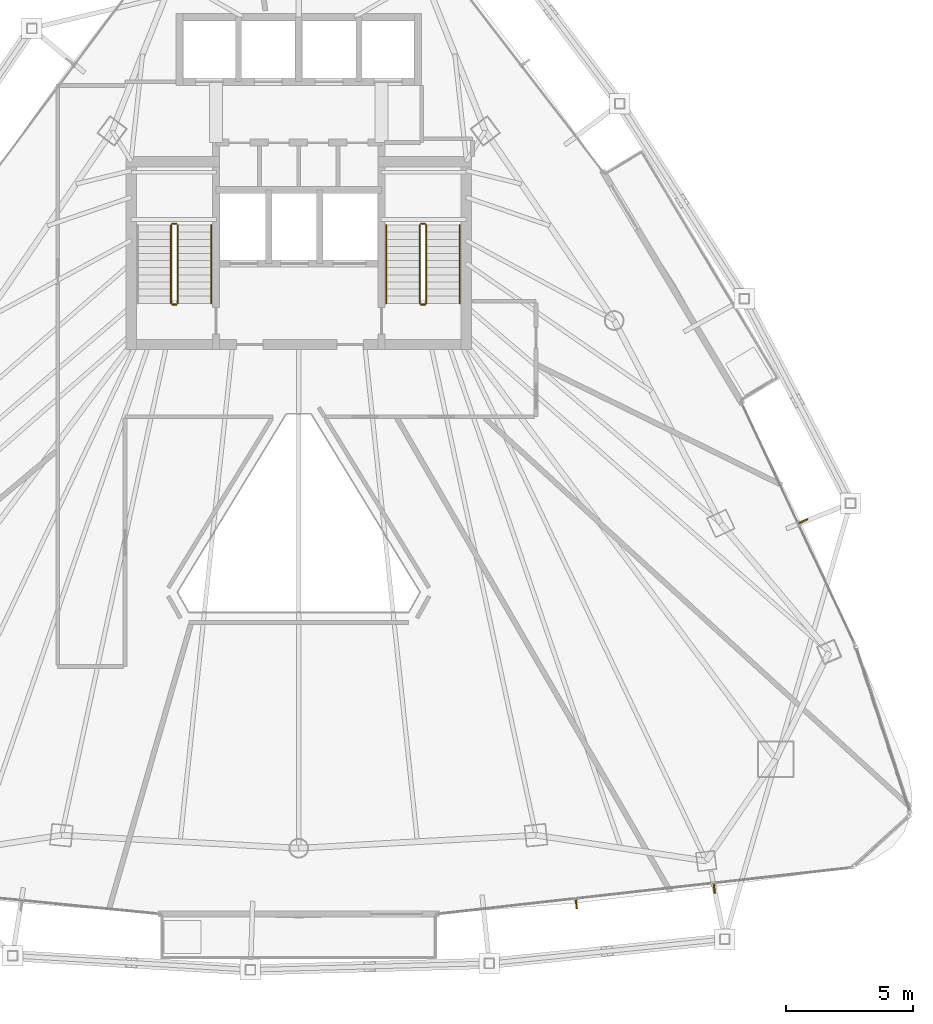
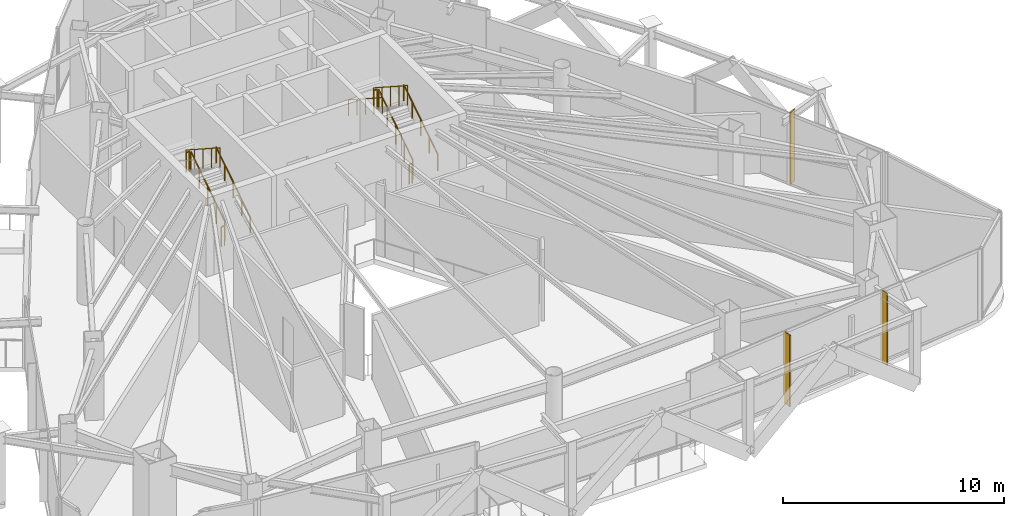
# One storey, part 26 of 27: 11 railings, 3 shading devices.
"""IFC4 building model written with IfcOpenShell, lengths in metres."""

import ifcopenshell
import ifcopenshell.guid

model = None  # the IFC model being written
_history = None  # IfcOwnerHistory: only IFC2X3 demands one
_inside = {}  # id of a spatial element -> (the spatial element, [elements in it])
_under = {}  # id of a project, library or spatial element -> (it, [spatial elements below it])
_declared = {}  # id of a project -> (the project, [libraries it declares])
_typed = {}  # id of a type object -> (the type object, [elements of that type])
_made_of = {}  # id of a material, layer set ... -> (it, [elements and type objects made of it])


def new_model(schema):
    """Start an empty IFC model of exactly this schema.

    Asked for "IFC4X3", IfcOpenShell would pick the latest addendum, in which some entities
    have other attributes; the version numbers below select the first issue.
    IFC2X3 requires an IfcOwnerHistory on every rooted entity: one is made here for all.
    """
    global model, _history
    if schema == "IFC4X3":
        model = ifcopenshell.file(schema_version=(4, 3, 0, 0))
    else:
        model = ifcopenshell.file(schema=schema)
    _inside.clear()
    _under.clear()
    _declared.clear()
    _typed.clear()
    _made_of.clear()
    _history = None
    if model.schema == "IFC2X3":
        org = make("IfcOrganization", Name="unknown")
        user = make(
            "IfcPersonAndOrganization",
            ThePerson=make("IfcPerson", FamilyName="unknown"),
            TheOrganization=org,
        )
        app = make(
            "IfcApplication",
            ApplicationDeveloper=org,
            Version="unknown",
            ApplicationFullName="unknown",
            ApplicationIdentifier="unknown",
        )
        _history = make(
            "IfcOwnerHistory",
            OwningUser=user,
            OwningApplication=app,
            ChangeAction="ADDED",
            CreationDate=0,
        )
    return model


def make(cls, **values):
    """One entity of the class cls with the attributes given. An attribute that is None is left unset."""
    return model.create_entity(
        cls, **{name: value for name, value in values.items() if value is not None}
    )


def rooted(cls, **values):
    """An entity with a GlobalId (a new one), such as an element, a storey or a relation."""
    return make(cls, GlobalId=ifcopenshell.guid.new(), OwnerHistory=_history, **values)


def si_unit(unit_type, name, prefix=None):
    """IfcSIUnit, for example si_unit("LENGTHUNIT", "METRE", prefix="MILLI")."""
    return make("IfcSIUnit", UnitType=unit_type, Prefix=prefix, Name=name)


def assignment(units):
    """IfcUnitAssignment: the units of a project."""
    return None if units is None else make("IfcUnitAssignment", Units=units)


def point(xyz):
    """IfcCartesianPoint."""
    return None if xyz is None else make("IfcCartesianPoint", Coordinates=xyz)


def direction(xyz):
    """IfcDirection."""
    return None if xyz is None else make("IfcDirection", DirectionRatios=xyz)


def frame(location, z_axis=None, x_axis=None):
    """IfcAxis2Placement3D, a coordinate frame: its origin and axes. An axis left out is left unset."""
    return make(
        "IfcAxis2Placement3D",
        Location=point(location),
        Axis=direction(z_axis),
        RefDirection=direction(x_axis),
    )


def frame_2d(location, x_axis=None):
    """IfcAxis2Placement2D, a coordinate frame in the plane: its origin and x axis."""
    return make(
        "IfcAxis2Placement2D", Location=point(location), RefDirection=direction(x_axis)
    )


def origin():
    """The frame at (0, 0, 0) with its axes left unset."""
    return frame((0.0, 0.0, 0.0))


def origin_2d():
    """The frame at (0, 0) in the plane with its x axis left unset."""
    return frame_2d((0.0, 0.0))


def place(relative_to, where):
    """IfcLocalPlacement: puts the frame where relative to a parent placement (None: the world)."""
    return make(
        "IfcLocalPlacement", PlacementRelTo=relative_to, RelativePlacement=where
    )


def context(
    kind, dimensions, precision=None, world=None, true_north=None, identifier=None
):
    """IfcGeometricRepresentationContext, for example the 3D "Model" context."""
    return make(
        "IfcGeometricRepresentationContext",
        ContextIdentifier=identifier,
        ContextType=kind,
        CoordinateSpaceDimension=dimensions,
        Precision=precision,
        WorldCoordinateSystem=world,
        TrueNorth=true_north,
    )


def subcontext(parent, identifier, kind, view, scale=None):
    """IfcGeometricRepresentationSubContext, for example "Body" below "Model"."""
    return make(
        "IfcGeometricRepresentationSubContext",
        ContextIdentifier=identifier,
        ContextType=kind,
        ParentContext=parent,
        TargetScale=scale,
        TargetView=view,
    )


def project(units=None, contexts=None):
    """IfcProject with its units and contexts."""
    return rooted(
        "IfcProject",
        Name="project",
        RepresentationContexts=contexts,
        UnitsInContext=assignment(units),
    )


def spatial(cls, under=None, at=None, **own):
    """A site, building, storey or space (cls), placed at a placement, below another one or the project."""
    s = rooted(cls, ObjectPlacement=at, **own)
    if under is not None:
        _under.setdefault(under.id(), (under, []))[1].append(s)
    return s


def profile(cls, at=None, kind="AREA", **sizes):
    """A parametric profile (cls). Its sizes go by their IFC names, for example OverallWidth=200.0."""
    return make(cls, ProfileType=kind, Position=at, **sizes)


def rectangle(**sizes):
    """IfcRectangleProfileDef."""
    return profile("IfcRectangleProfileDef", **sizes)


def circle(**sizes):
    """IfcCircleProfileDef."""
    return profile("IfcCircleProfileDef", **sizes)


def extrude(swept, where, along, depth):
    """IfcExtrudedAreaSolid: the profile swept, set in the frame where, extruded along a direction by depth."""
    return make(
        "IfcExtrudedAreaSolid",
        SweptArea=swept,
        Position=where,
        ExtrudedDirection=direction(along),
        Depth=depth,
    )


def shape(context_of_items, identifier, shape_type, items):
    """IfcShapeRepresentation: the items that make up one representation, for example the "Body"."""
    return make(
        "IfcShapeRepresentation",
        ContextOfItems=context_of_items,
        RepresentationIdentifier=identifier,
        RepresentationType=shape_type,
        Items=items,
    )


def material(Name=None, Category=None):
    """IfcMaterial."""
    return make("IfcMaterial", Name=Name, Category=Category)


def layer(
    of_material, thickness, ventilated=None, Name=None, Category=None, Priority=None
):
    """IfcMaterialLayer: one layer of a wall or slab, of a material (None: an air gap)."""
    return make(
        "IfcMaterialLayer",
        Material=of_material,
        LayerThickness=thickness,
        IsVentilated=ventilated,
        Name=Name,
        Category=Category,
        Priority=Priority,
    )


def layer_set(layers, Name=None):
    """IfcMaterialLayerSet."""
    return make("IfcMaterialLayerSet", MaterialLayers=layers, LayerSetName=Name)


def made_of(thing, what):
    """Note that an element or type object is made of a material, layer set ...; save() writes the relation."""
    if what is not None:
        _made_of.setdefault(what.id(), (what, []))[1].append(thing)
    return thing


def type_object(cls, material=None, **own):
    """A type object (cls), such as IfcWallType, which elements share."""
    return made_of(rooted(cls, **own), material)


def element(
    cls,
    number,
    at=None,
    inside=None,
    cuts=None,
    type_object=None,
    material=None,
    context=None,
    identifier="Body",
    shape_type=None,
    held_by="IfcProductDefinitionShape",
    body=None,
    shapes=None,
    **own,
):
    """One element of the class cls, such as IfcWall. Its Tag is "e" and its number.

    at: its placement. inside: the storey or other place that contains it. cuts: it is an
    opening in that element (IfcRelVoidsElement). A single representation is given by context,
    identifier, shape_type and body (its items); several are given by shapes. held_by: the class
    of the entity that holds the representations. save() writes the other relations.
    """
    e = rooted(cls, Tag="e%d" % number, ObjectPlacement=at, **own)
    if body is not None:
        shapes = [shape(context, identifier, shape_type, body)]
    if shapes is not None:
        e.Representation = make(held_by, Representations=shapes)
    if inside is not None:
        _inside.setdefault(inside.id(), (inside, []))[1].append(e)
    if cuts is not None:
        rooted(
            "IfcRelVoidsElement", RelatingBuildingElement=cuts, RelatedOpeningElement=e
        )
    if type_object is not None:
        _typed.setdefault(type_object.id(), (type_object, []))[1].append(e)
    return made_of(e, material)


def aggregate(whole, parts):
    """IfcRelAggregates: a whole, such as a stair, and the parts it consists of."""
    return rooted("IfcRelAggregates", RelatingObject=whole, RelatedObjects=parts)


def save(model, path):
    """Write the relations noted so far, then the file.

    IfcRelAggregates (storeys below a building ...), IfcRelContainedInSpatialStructure (elements
    in a storey), IfcRelDefinesByType, IfcRelAssociatesMaterial and IfcRelDeclares: one each for
    every whole, place, type object, material and project.
    """
    for whole, parts in _under.values():
        aggregate(whole, parts)
    for where, things in _inside.values():
        rooted(
            "IfcRelContainedInSpatialStructure",
            RelatedElements=things,
            RelatingStructure=where,
        )
    for kind, things in _typed.values():
        rooted("IfcRelDefinesByType", RelatedObjects=things, RelatingType=kind)
    for what, things in _made_of.values():
        rooted("IfcRelAssociatesMaterial", RelatedObjects=things, RelatingMaterial=what)
    for by, libraries in _declared.values():
        rooted("IfcRelDeclares", RelatingContext=by, RelatedDefinitions=libraries)
    model.write(path)


model = new_model("IFC4")

# Units and contexts
model_context = context("Model", 3, precision=1e-05, world=origin(), true_north=direction((0.0, 1.0)))
body_context = subcontext(model_context, "Body", "Model", "MODEL_VIEW")
ifc_project = project(units=[si_unit("LENGTHUNIT", "METRE"), si_unit("AREAUNIT", "SQUARE_METRE"), si_unit("VOLUMEUNIT", "CUBIC_METRE"), si_unit("PLANEANGLEUNIT", "RADIAN"), si_unit("MASSUNIT", "GRAM", prefix="KILO")], contexts=[model_context])

# Site, building, storey
site_placement = place(None, origin())
site = spatial("IfcSite", under=ifc_project, at=site_placement, CompositionType="ELEMENT")
building_placement = place(site_placement, origin())
building = spatial("IfcBuilding", under=site, at=building_placement, Name="Orvanel Arch Residences", CompositionType="ELEMENT")
storey_placement = place(building_placement, frame((0.0, 0.0, 186.949951171875)))
storey = spatial("IfcBuildingStorey", under=building, at=storey_placement, Name="L53", CompositionType="ELEMENT", Elevation=186.949951171875)

# Shading devices
ifc_material_1 = material(Name="Bronze-anodised aluminium AA6063-T6", Category="aluminium")
ifc_layer = layer(ifc_material_1, 0.06005859375)
ifc_layer_set = layer_set([ifc_layer], Name="Bronze-anodised aluminium AA6063-T6")
shading_device_type = type_object("IfcShadingDeviceType", Name="FIN-BRZ-380", PredefinedType="USERDEFINED", material=ifc_layer_set)
for number, where, z_axis, x_axis, name in (
    (1, (43.93798828125, 4.64208984375, 0.0), (0.0, 0.0, 1.0), (0.111468932206, -0.993767919161, 0.0), "L53 Anodised Bronze Mullion FIN 01"),
    (2, (49.3779296875, 5.251953125, 0.0), (0.0, 0.0, 1.0), (0.111468932206, -0.993767919161, 0.0), "L53 Anodised Bronze Mullion FIN 02"),
    (3, (52.884033203125, 19.73095703125, 0.0), (0.0, 0.0, 1.0), (0.905568799011, 0.424199422745, 0.0), "L53 Anodised Bronze Mullion FIN 01"),
):
    element("IfcShadingDevice", number, at=place(storey_placement, frame(where, z_axis=z_axis, x_axis=x_axis)), inside=storey, type_object=shading_device_type, Name=name, ObjectType="FIN", PredefinedType="USERDEFINED", context=body_context, shape_type="SweptSolid", body=[
        extrude(rectangle(XDim=0.3798828125, YDim=0.06005859375, at=origin_2d()), origin(), (0.0, 0.0, 1.0), 3.949951171875),
    ])

# Railings
ifc_material_2 = material(Name="Structural steel AS/NZS 1163 C350L0 (Grade 350)", Category="steel")
railing_type_1 = type_object("IfcRailingType", Name="RL-STAIR-GUARD", PredefinedType="GUARDRAIL", material=ifc_material_2)
railing_1_placement = place(storey_placement, frame((28.22998046875, 28.320068359375, 0.181396484375)))
element("IfcRailing", 4, at=railing_1_placement, inside=storey, type_object=railing_type_1, Name="L53 ST-1 stair guard 1", PredefinedType="GUARDRAIL", context=body_context, shape_type="SweptSolid", body=[
    extrude(circle(Radius=0.02392578125, at=origin_2d()), frame((0.0, 0.001220703125, 1.076904296875), z_axis=(0.0, 0.839468376875, 0.543408542652), x_axis=(-1.0, 0.0, 0.0)), (0.0, 0.0, 1.0), 3.665771484375),
    extrude(circle(Radius=0.02099609375, at=origin_2d()), origin(), (0.0, 0.0, 1.0), 1.050048828125),
    extrude(circle(Radius=0.02099609375, at=origin_2d()), frame((0.0, 0.77001953125, 0.49853515625)), (0.0, 0.0, 1.0), 1.050048828125),
    extrude(circle(Radius=0.02099609375, at=origin_2d()), frame((0.0, 1.5400390625, 0.996826171875)), (0.0, 0.0, 1.0), 1.050048828125),
    extrude(circle(Radius=0.02099609375, at=origin_2d()), frame((0.0, 2.309814453125, 1.4951171875)), (0.0, 0.0, 1.0), 1.050048828125),
    extrude(circle(Radius=0.02099609375, at=origin_2d()), frame((0.0, 3.079833984375, 1.99365234375)), (0.0, 0.0, 1.0), 1.050048828125),
])
railing_2_placement = place(storey_placement, frame((28.179931640625, 31.449951171875, 2.175048828125)))
element("IfcRailing", 5, at=railing_2_placement, inside=storey, type_object=railing_type_1, Name="L53 ST-1 stair guard 2", PredefinedType="GUARDRAIL", context=body_context, shape_type="SweptSolid", body=[
    extrude(circle(Radius=0.02392578125, at=origin_2d()), frame((-0.00146484375, 0.0, 1.076171875), z_axis=(-1.0, 0.0, 0.0), x_axis=(0.0, -1.0, 0.0)), (0.0, 0.0, 1.0), 0.156982421875),
    extrude(circle(Radius=0.02099609375, at=origin_2d()), origin(), (0.0, 0.0, 1.0), 1.050048828125),
    extrude(circle(Radius=0.02099609375, at=origin_2d()), frame((-0.159912109375, 0.0, 0.0)), (0.0, 0.0, 1.0), 1.050048828125),
])
railing_3_placement = place(storey_placement, frame((27.969970703125, 31.39990234375, 2.356201171875)))
element("IfcRailing", 6, at=railing_3_placement, inside=storey, type_object=railing_type_1, Name="L53 ST-1 stair guard 3", PredefinedType="GUARDRAIL", context=body_context, shape_type="SweptSolid", body=[
    extrude(circle(Radius=0.02392578125, at=origin_2d()), frame((0.0, -0.001220703125, 1.076904296875), z_axis=(0.0, -0.839438020429, 0.543455435025), x_axis=(1.0, 0.0, 0.0)), (0.0, 0.0, 1.0), 3.666015625),
    extrude(circle(Radius=0.02099609375, at=origin_2d()), origin(), (0.0, 0.0, 1.0), 1.050048828125),
    extrude(circle(Radius=0.02099609375, at=origin_2d()), frame((0.0, -0.77001953125, 0.49853515625)), (0.0, 0.0, 1.0), 1.050048828125),
    extrude(circle(Radius=0.02099609375, at=origin_2d()), frame((0.0, -1.5400390625, 0.9970703125)), (0.0, 0.0, 1.0), 1.050048828125),
    extrude(circle(Radius=0.02099609375, at=origin_2d()), frame((0.0, -2.309814453125, 1.495361328125)), (0.0, 0.0, 1.0), 1.050048828125),
    extrude(circle(Radius=0.02099609375, at=origin_2d()), frame((0.0, -3.079833984375, 1.993896484375)), (0.0, 0.0, 1.0), 1.050048828125),
])
railing_4_placement = place(storey_placement, frame((28.179931640625, 28.27001953125, 0.0)))
element("IfcRailing", 7, at=railing_4_placement, inside=storey, type_object=railing_type_1, Name="L53 ST-1 stair guard 4", PredefinedType="GUARDRAIL", context=body_context, shape_type="SweptSolid", body=[
    extrude(circle(Radius=0.02392578125, at=origin_2d()), frame((-0.00146484375, 0.0, 1.076171875), z_axis=(-1.0, 0.0, 0.0), x_axis=(0.0, -1.0, 0.0)), (0.0, 0.0, 1.0), 0.156982421875),
    extrude(circle(Radius=0.02099609375, at=origin_2d()), origin(), (0.0, 0.0, 1.0), 1.050048828125),
    extrude(circle(Radius=0.02099609375, at=origin_2d()), frame((-0.159912109375, 0.0, 0.0)), (0.0, 0.0, 1.0), 1.050048828125),
])
railing_5_placement = place(storey_placement, frame((38.030029296875, 28.320068359375, 0.181396484375)))
element("IfcRailing", 8, at=railing_5_placement, inside=storey, type_object=railing_type_1, Name="L53 ST-2 stair guard 1", PredefinedType="GUARDRAIL", context=body_context, shape_type="SweptSolid", body=[
    extrude(circle(Radius=0.02392578125, at=origin_2d()), frame((0.0, 0.001220703125, 1.076904296875), z_axis=(0.0, 0.839468376875, 0.543408542652), x_axis=(-1.0, 0.0, 0.0)), (0.0, 0.0, 1.0), 3.665771484375),
    extrude(circle(Radius=0.02099609375, at=origin_2d()), origin(), (0.0, 0.0, 1.0), 1.050048828125),
    extrude(circle(Radius=0.02099609375, at=origin_2d()), frame((0.0, 0.77001953125, 0.49853515625)), (0.0, 0.0, 1.0), 1.050048828125),
    extrude(circle(Radius=0.02099609375, at=origin_2d()), frame((0.0, 1.5400390625, 0.996826171875)), (0.0, 0.0, 1.0), 1.050048828125),
    extrude(circle(Radius=0.02099609375, at=origin_2d()), frame((0.0, 2.309814453125, 1.4951171875)), (0.0, 0.0, 1.0), 1.050048828125),
    extrude(circle(Radius=0.02099609375, at=origin_2d()), frame((0.0, 3.079833984375, 1.99365234375)), (0.0, 0.0, 1.0), 1.050048828125),
])
railing_6_placement = place(storey_placement, frame((37.97998046875, 31.449951171875, 2.175048828125)))
element("IfcRailing", 9, at=railing_6_placement, inside=storey, type_object=railing_type_1, Name="L53 ST-2 stair guard 2", PredefinedType="GUARDRAIL", context=body_context, shape_type="SweptSolid", body=[
    extrude(circle(Radius=0.02392578125, at=origin_2d()), frame((-0.00146484375, 0.0, 1.076171875), z_axis=(-1.0, 0.0, 0.0), x_axis=(0.0, -1.0, 0.0)), (0.0, 0.0, 1.0), 0.156982421875),
    extrude(circle(Radius=0.02099609375, at=origin_2d()), origin(), (0.0, 0.0, 1.0), 1.050048828125),
    extrude(circle(Radius=0.02099609375, at=origin_2d()), frame((-0.159912109375, 0.0, 0.0)), (0.0, 0.0, 1.0), 1.050048828125),
])
railing_7_placement = place(storey_placement, frame((37.77001953125, 31.39990234375, 2.356201171875)))
element("IfcRailing", 10, at=railing_7_placement, inside=storey, type_object=railing_type_1, Name="L53 ST-2 stair guard 3", PredefinedType="GUARDRAIL", context=body_context, shape_type="SweptSolid", body=[
    extrude(circle(Radius=0.02392578125, at=origin_2d()), frame((0.0, -0.001220703125, 1.076904296875), z_axis=(0.0, -0.839438020429, 0.543455435025), x_axis=(1.0, 0.0, 0.0)), (0.0, 0.0, 1.0), 3.666015625),
    extrude(circle(Radius=0.02099609375, at=origin_2d()), origin(), (0.0, 0.0, 1.0), 1.050048828125),
    extrude(circle(Radius=0.02099609375, at=origin_2d()), frame((0.0, -0.77001953125, 0.49853515625)), (0.0, 0.0, 1.0), 1.050048828125),
    extrude(circle(Radius=0.02099609375, at=origin_2d()), frame((0.0, -1.5400390625, 0.9970703125)), (0.0, 0.0, 1.0), 1.050048828125),
    extrude(circle(Radius=0.02099609375, at=origin_2d()), frame((0.0, -2.309814453125, 1.495361328125)), (0.0, 0.0, 1.0), 1.050048828125),
    extrude(circle(Radius=0.02099609375, at=origin_2d()), frame((0.0, -3.079833984375, 1.993896484375)), (0.0, 0.0, 1.0), 1.050048828125),
])
railing_8_placement = place(storey_placement, frame((37.97998046875, 28.27001953125, 0.0)))
element("IfcRailing", 11, at=railing_8_placement, inside=storey, type_object=railing_type_1, Name="L53 ST-2 stair guard 4", PredefinedType="GUARDRAIL", context=body_context, shape_type="SweptSolid", body=[
    extrude(circle(Radius=0.02392578125, at=origin_2d()), frame((-0.00146484375, 0.0, 1.076171875), z_axis=(-1.0, 0.0, 0.0), x_axis=(0.0, -1.0, 0.0)), (0.0, 0.0, 1.0), 0.156982421875),
    extrude(circle(Radius=0.02099609375, at=origin_2d()), origin(), (0.0, 0.0, 1.0), 1.050048828125),
    extrude(circle(Radius=0.02099609375, at=origin_2d()), frame((-0.159912109375, 0.0, 0.0)), (0.0, 0.0, 1.0), 1.050048828125),
])
railing_type_2 = type_object("IfcRailingType", Name="RL-STAIR-HAND", PredefinedType="HANDRAIL", material=ifc_material_2)
for number, where, name in (
    (12, (29.550048828125, 28.320068359375, 0.181396484375), "L53 ST-1 stair handrail 1"),
    (13, (39.35009765625, 28.320068359375, 0.181396484375), "L53 ST-2 stair handrail 1"),
):
    element("IfcRailing", number, at=place(storey_placement, frame(where)), inside=storey, type_object=railing_type_2, Name=name, PredefinedType="HANDRAIL", context=body_context, shape_type="SweptSolid", body=[
        extrude(circle(Radius=0.02392578125, at=origin_2d()), frame((0.0, 0.001220703125, 0.876708984375), z_axis=(0.0, 0.839468376875, 0.543408542652), x_axis=(-1.0, 0.0, 0.0)), (0.0, 0.0, 1.0), 3.665771484375),
        extrude(circle(Radius=0.02099609375, at=origin_2d()), origin(), (0.0, 0.0, 1.0), 0.849853515625),
        extrude(circle(Radius=0.02099609375, at=origin_2d()), frame((0.0, 0.77001953125, 0.49853515625)), (0.0, 0.0, 1.0), 0.849853515625),
        extrude(circle(Radius=0.02099609375, at=origin_2d()), frame((0.0, 1.5400390625, 0.996826171875)), (0.0, 0.0, 1.0), 0.849853515625),
        extrude(circle(Radius=0.02099609375, at=origin_2d()), frame((0.0, 2.309814453125, 1.4951171875)), (0.0, 0.0, 1.0), 0.849853515625),
        extrude(circle(Radius=0.02099609375, at=origin_2d()), frame((0.0, 3.079833984375, 1.99365234375)), (0.0, 0.0, 1.0), 0.849853515625),
    ])
railing_9_placement = place(storey_placement, frame((36.449951171875, 31.39990234375, 2.356201171875)))
element("IfcRailing", 14, at=railing_9_placement, inside=storey, type_object=railing_type_2, Name="L53 ST-2 stair handrail 2", PredefinedType="HANDRAIL", context=body_context, shape_type="SweptSolid", body=[
    extrude(circle(Radius=0.02392578125, at=origin_2d()), frame((0.0, -0.001220703125, 0.876708984375), z_axis=(0.0, -0.839438020429, 0.543455435025), x_axis=(1.0, 0.0, 0.0)), (0.0, 0.0, 1.0), 3.666015625),
    extrude(circle(Radius=0.02099609375, at=origin_2d()), origin(), (0.0, 0.0, 1.0), 0.849853515625),
    extrude(circle(Radius=0.02099609375, at=origin_2d()), frame((0.0, -0.77001953125, 0.49853515625)), (0.0, 0.0, 1.0), 0.849853515625),
    extrude(circle(Radius=0.02099609375, at=origin_2d()), frame((0.0, -1.5400390625, 0.9970703125)), (0.0, 0.0, 1.0), 0.849853515625),
    extrude(circle(Radius=0.02099609375, at=origin_2d()), frame((0.0, -2.309814453125, 1.495361328125)), (0.0, 0.0, 1.0), 0.849853515625),
    extrude(circle(Radius=0.02099609375, at=origin_2d()), frame((0.0, -3.079833984375, 1.993896484375)), (0.0, 0.0, 1.0), 0.849853515625),
])

save(model, "model.ifc")
